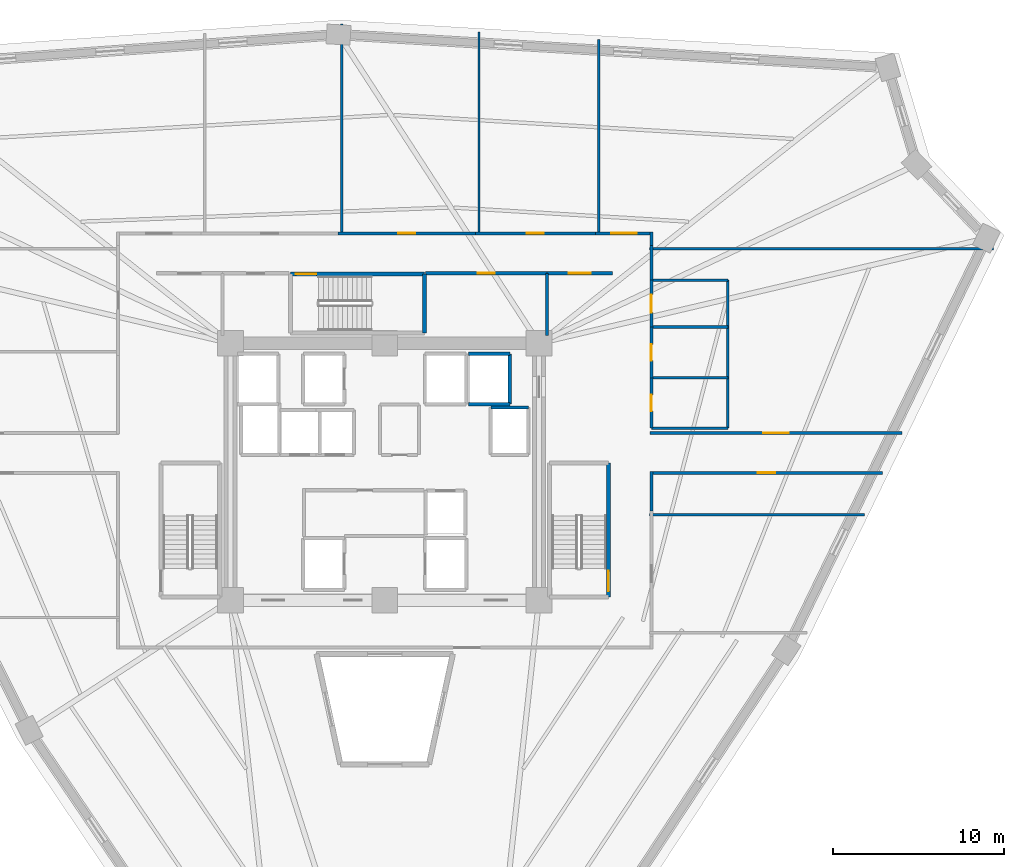
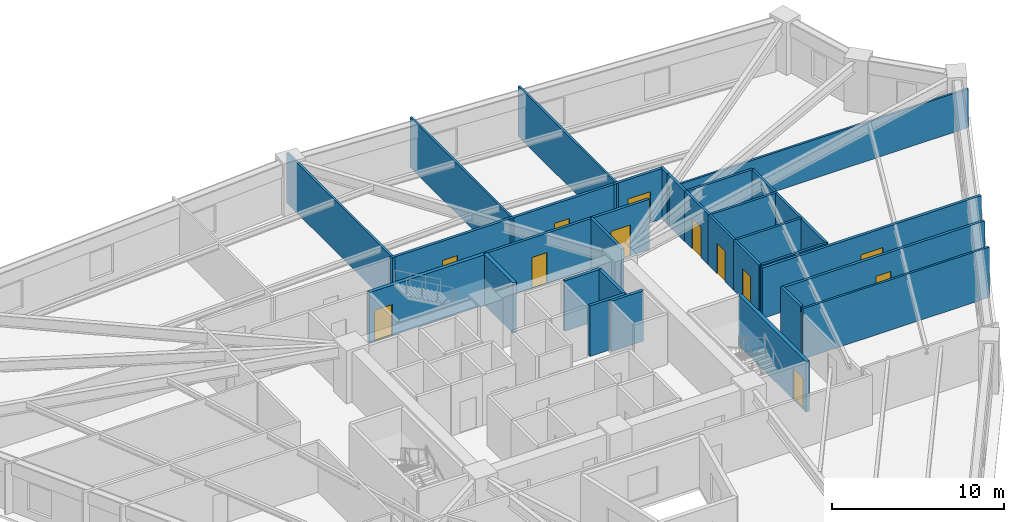
# One storey, part 6 of 8: 31 walls, 12 doors, 12 openings.
"""IFC4 building model written with IfcOpenShell, lengths in metres."""

from ifc_helpers import new_model, si_unit, direction, frame, frame_2d, origin, place, context, subcontext, project, spatial, rectangle, extrude, source, transform, mapped, material, layer, layer_set, type_object, element, fill, save


model = new_model("IFC4")

# Units and contexts
model_context = context("Model", 3, precision=1e-05, world=origin(), true_north=direction((0.0, 1.0)))
body_context = subcontext(model_context, "Body", "Model", "MODEL_VIEW")
ifc_project = project(units=[si_unit("LENGTHUNIT", "METRE"), si_unit("AREAUNIT", "SQUARE_METRE"), si_unit("VOLUMEUNIT", "CUBIC_METRE"), si_unit("PLANEANGLEUNIT", "RADIAN"), si_unit("MASSUNIT", "GRAM", prefix="KILO")], contexts=[model_context])

# Site, building, storey
site_placement = place(None, origin())
site = spatial("IfcSite", under=ifc_project, at=site_placement, CompositionType="ELEMENT")
building_placement = place(site_placement, origin())
building = spatial("IfcBuilding", under=site, at=building_placement, Name="Liaohun Quay Tower", CompositionType="ELEMENT")
storey_placement = place(building_placement, frame((0.0, 0.0, 159.0)))
storey = spatial("IfcBuildingStorey", under=building, at=storey_placement, Name="L41", CompositionType="ELEMENT", Elevation=159.0)

# Wall, opening, door
ifc_material_1 = material(Name="Autoclaved aerated concrete blockwork", Category="masonry")
ifc_layer_1 = layer(ifc_material_1, 0.179931640625, Name="Autoclaved aerated concrete blockwork", Category="masonry")
ifc_layer_set_1 = layer_set([ifc_layer_1], Name="Autoclaved aerated concrete blockwork")
wall_type_1 = type_object("IfcWallType", Name="WAL-PRT-COR", PredefinedType="PARTITIONING", material=ifc_layer_set_1)
wall_1_placement = place(storey_placement, frame((62.389892578125, 65.580078125, 0.0), z_axis=(0.0, 0.0, 1.0), x_axis=(1.0, 0.0, 0.0)))
wall_1 = element("IfcWall", 1, at=wall_1_placement, inside=storey, type_object=wall_type_1, Name="L41 Interior Partition Wall 007", PredefinedType="PARTITIONING", context=body_context, shape_type="SweptSolid", body=[
    extrude(rectangle(XDim=7.070068359375, YDim=0.179931640625, at=frame_2d((3.53515625, 0.0))), origin(), (0.0, 0.0, 1.0), 3.570068359375),
])
shared_shape_1 = source(origin(), body_context, "Body", "SweptSolid", [
    extrude(rectangle(XDim=1.0, YDim=2.199951171875, at=frame_2d((0.5, 1.10009765625))), frame((0.0, 0.099853515625, 0.0), z_axis=(0.0, -1.0, 0.0), x_axis=(1.0, 0.0, 0.0)), (0.0, 0.0, 1.0), 0.199951171875),
])
opening_1_placement = place(wall_1_placement, frame((3.034912109375, 0.0, 0.0)))
opening_1 = element("IfcOpeningElement", 2, at=opening_1_placement, cuts=wall_1, Name="Opening OD1", PredefinedType="OPENING", context=body_context, shape_type="MappedRepresentation", body=[
    mapped(shared_shape_1, transform((0.0, 0.0, 0.0), x_axis=(1.0, 0.0, 0.0), y_axis=(0.0, 1.0, 0.0), z_axis=(0.0, 0.0, 1.0), scale=1.0)),
])
ifc_material_2 = material(Name="Solid-core oak veneer timber leaf in steel frame", Category="steel")
door_type_1 = type_object("IfcDoorType", Name="DOR-OFF-1000", OperationType="NOTDEFINED", PredefinedType="DOOR", material=ifc_material_2)
shared_shape_2 = source(origin(), body_context, "Body", "SweptSolid", [
    extrude(rectangle(XDim=1.0, YDim=2.199951171875, at=frame_2d((0.5, 1.10009765625))), frame((0.0, 0.02490234375, 0.0), z_axis=(0.0, -1.0, 0.0), x_axis=(1.0, 0.0, 0.0)), (0.0, 0.0, 1.0), 0.050048828125),
])
door_1_placement = place(opening_1_placement, origin())
door_1 = element("IfcDoor", 3, at=door_1_placement, inside=storey, type_object=door_type_1, Name="L41 North-East Archive and Mail Room Door", OperationType="SINGLE_SWING_RIGHT", OverallHeight=2.199951171875, OverallWidth=1.0, PredefinedType="DOOR", context=body_context, shape_type="MappedRepresentation", body=[
    mapped(shared_shape_2, transform((0.0, 0.0, 0.0), x_axis=(1.0, 0.0, 0.0), y_axis=(0.0, 1.0, 0.0), z_axis=(0.0, 0.0, 1.0), scale=1.0)),
])
fill(opening_1, door_1)

wall_2_placement = place(storey_placement, frame((69.4599609375, 65.580078125, 0.0), z_axis=(0.0, 0.0, 1.0), x_axis=(1.0, 0.0, 0.0)))
wall_2 = element("IfcWall", 4, at=wall_2_placement, inside=storey, type_object=wall_type_1, Name="L41 Interior Partition Wall 009", PredefinedType="PARTITIONING", context=body_context, shape_type="SweptSolid", body=[
    extrude(rectangle(XDim=3.840087890625, YDim=0.179931640625, at=frame_2d((1.919921875, 0.0))), origin(), (0.0, 0.0, 1.0), 3.570068359375),
])
shared_shape_3 = source(origin(), body_context, "Body", "SweptSolid", [
    extrude(rectangle(XDim=1.300048828125, YDim=2.199951171875, at=frame_2d((0.64990234375, 1.10009765625))), frame((0.0, 0.099853515625, 0.0), z_axis=(0.0, -1.0, 0.0), x_axis=(1.0, 0.0, 0.0)), (0.0, 0.0, 1.0), 0.199951171875),
])
opening_2_placement = place(wall_2_placement, frame((1.27001953125, 0.0, 0.0)))
opening_2 = element("IfcOpeningElement", 5, at=opening_2_placement, cuts=wall_2, Name="Opening FD1", PredefinedType="OPENING", context=body_context, shape_type="MappedRepresentation", body=[
    mapped(shared_shape_3, transform((0.0, 0.0, 0.0), x_axis=(1.0, 0.0, 0.0), y_axis=(0.0, 1.0, 0.0), z_axis=(0.0, 0.0, 1.0), scale=1.0)),
])
ifc_material_3 = material(Name="Galvanised steel smokeproof fire door", Category="steel")
door_type_2 = type_object("IfcDoorType", Name="DOR-FFL-1300", OperationType="NOTDEFINED", PredefinedType="DOOR", material=ifc_material_3)
shared_shape_4 = source(origin(), body_context, "Body", "SweptSolid", [
    extrude(rectangle(XDim=1.300048828125, YDim=2.199951171875, at=frame_2d((0.64990234375, 1.10009765625))), frame((0.0, 0.02490234375, 0.0), z_axis=(0.0, -1.0, 0.0), x_axis=(1.0, 0.0, 0.0)), (0.0, 0.0, 1.0), 0.050048828125),
])
door_2_placement = place(opening_2_placement, origin())
door_2 = element("IfcDoor", 6, at=door_2_placement, inside=storey, type_object=door_type_2, Name="L41 East Core Vestibule Door", OperationType="SINGLE_SWING_RIGHT", OverallHeight=2.199951171875, OverallWidth=1.300048828125, PredefinedType="DOOR", context=body_context, shape_type="MappedRepresentation", body=[
    mapped(shared_shape_4, transform((0.0, 0.0, 0.0), x_axis=(1.0, 0.0, 0.0), y_axis=(0.0, 1.0, 0.0), z_axis=(0.0, 0.0, 1.0), scale=1.0)),
])
fill(opening_2, door_2)

wall_3_placement = place(storey_placement, frame((75.489990234375, 56.260009765625, 0.0), z_axis=(0.0, 0.0, 1.0), x_axis=(1.0, 0.0, 0.0)))
wall_3 = element("IfcWall", 7, at=wall_3_placement, inside=storey, type_object=wall_type_1, Name="L41 Interior Partition Wall 010", PredefinedType="PARTITIONING", context=body_context, shape_type="SweptSolid", body=[
    extrude(rectangle(XDim=14.694091796875, YDim=0.179931640625, at=frame_2d((7.34716796875, 0.0))), origin(), (0.0, 0.0, 1.0), 3.570068359375),
])
shared_shape_5 = source(origin(), body_context, "Body", "SweptSolid", [
    extrude(rectangle(XDim=1.5, YDim=2.199951171875, at=frame_2d((0.75, 1.10009765625))), frame((0.0, 0.099853515625, 0.0), z_axis=(0.0, -1.0, 0.0), x_axis=(1.0, 0.0, 0.0)), (0.0, 0.0, 1.0), 0.199951171875),
])
opening_3_placement = place(wall_3_placement, frame((6.596923828125, 0.0, 0.0)))
opening_3 = element("IfcOpeningElement", 8, at=opening_3_placement, cuts=wall_3, Name="Opening OD2", PredefinedType="OPENING", context=body_context, shape_type="MappedRepresentation", body=[
    mapped(shared_shape_5, transform((0.0, 0.0, 0.0), x_axis=(1.0, 0.0, 0.0), y_axis=(0.0, 1.0, 0.0), z_axis=(0.0, 0.0, 1.0), scale=1.0)),
])
ifc_material_4 = material(Name="Acoustic oak veneer double door")
door_type_3 = type_object("IfcDoorType", Name="DOR-OFF-1500", OperationType="DOUBLE_DOOR_SINGLE_SWING", PredefinedType="DOOR", material=ifc_material_4)
shared_shape_6 = source(origin(), body_context, "Body", "SweptSolid", [
    extrude(rectangle(XDim=1.5, YDim=2.199951171875, at=frame_2d((0.75, 1.10009765625))), frame((0.0, 0.02490234375, 0.0), z_axis=(0.0, -1.0, 0.0), x_axis=(1.0, 0.0, 0.0)), (0.0, 0.0, 1.0), 0.050048828125),
])
door_3_placement = place(opening_3_placement, origin())
door_3 = element("IfcDoor", 9, at=door_3_placement, inside=storey, type_object=door_type_3, Name="L41 Technical Reference Library 01 Door", OperationType="DOUBLE_DOOR_SINGLE_SWING", OverallHeight=2.199951171875, OverallWidth=1.5, PredefinedType="DOOR", context=body_context, shape_type="MappedRepresentation", body=[
    mapped(shared_shape_6, transform((0.0, 0.0, 0.0), x_axis=(1.0, 0.0, 0.0), y_axis=(0.0, 1.0, 0.0), z_axis=(0.0, 0.0, 1.0), scale=1.0)),
])
fill(opening_3, door_3)

wall_4_placement = place(storey_placement, frame((72.284912109375, 67.909912109375, 0.0), z_axis=(0.0, 0.0, 1.0), x_axis=(1.0, 0.0, 0.0)))
wall_4 = element("IfcWall", 10, at=wall_4_placement, inside=storey, type_object=wall_type_1, Name="L41 Interior Partition Wall 011", PredefinedType="PARTITIONING", context=body_context, shape_type="SweptSolid", body=[
    extrude(rectangle(XDim=3.344970703125, YDim=0.179931640625, at=frame_2d((1.67236328125, 0.0))), origin(), (0.0, 0.0, 1.0), 3.570068359375),
])
opening_4_placement = place(wall_4_placement, frame((0.922119140625, 0.0, 0.0)))
opening_4 = element("IfcOpeningElement", 11, at=opening_4_placement, cuts=wall_4, Name="Opening OD2", PredefinedType="OPENING", context=body_context, shape_type="MappedRepresentation", body=[
    mapped(shared_shape_5, transform((0.0, 0.0, 0.0), x_axis=(1.0, 0.0, 0.0), y_axis=(0.0, 1.0, 0.0), z_axis=(0.0, 0.0, 1.0), scale=1.0)),
])
door_4_placement = place(opening_4_placement, origin())
door_4 = element("IfcDoor", 12, at=door_4_placement, inside=storey, type_object=door_type_3, Name="L41 Client Collaboration Lounge 02 Door", OperationType="DOUBLE_DOOR_SINGLE_SWING", OverallHeight=2.199951171875, OverallWidth=1.5, PredefinedType="DOOR", context=body_context, shape_type="MappedRepresentation", body=[
    mapped(shared_shape_6, transform((0.0, 0.0, 0.0), x_axis=(1.0, 0.0, 0.0), y_axis=(0.0, 1.0, 0.0), z_axis=(0.0, 0.0, 1.0), scale=1.0)),
])
fill(opening_4, door_4)

wall_5_placement = place(storey_placement, frame((65.284912109375, 67.909912109375, 0.0), z_axis=(0.0, 0.0, 1.0), x_axis=(1.0, 0.0, 0.0)))
wall_5 = element("IfcWall", 13, at=wall_5_placement, inside=storey, type_object=wall_type_1, Name="L41 Interior Partition Wall 012", PredefinedType="PARTITIONING", context=body_context, shape_type="SweptSolid", body=[
    extrude(rectangle(XDim=7.0, YDim=0.179931640625, at=frame_2d((3.5, 0.0))), origin(), (0.0, 0.0, 1.0), 3.570068359375),
])
opening_5_placement = place(wall_5_placement, frame((3.0, 0.0, 0.0)))
opening_5 = element("IfcOpeningElement", 14, at=opening_5_placement, cuts=wall_5, Name="Opening OD1", PredefinedType="OPENING", context=body_context, shape_type="MappedRepresentation", body=[
    mapped(shared_shape_1, transform((0.0, 0.0, 0.0), x_axis=(1.0, 0.0, 0.0), y_axis=(0.0, 1.0, 0.0), z_axis=(0.0, 0.0, 1.0), scale=1.0)),
])
door_5_placement = place(opening_5_placement, origin())
door_5 = element("IfcDoor", 15, at=door_5_placement, inside=storey, type_object=door_type_1, Name="L41 Technical Reference Library 03 Door", OperationType="SINGLE_SWING_LEFT", OverallHeight=2.199951171875, OverallWidth=1.0, PredefinedType="DOOR", context=body_context, shape_type="MappedRepresentation", body=[
    mapped(shared_shape_2, transform((0.0, 0.0, 0.0), x_axis=(1.0, 0.0, 0.0), y_axis=(0.0, 1.0, 0.0), z_axis=(0.0, 0.0, 1.0), scale=1.0)),
])
fill(opening_5, door_5)

wall_6_placement = place(storey_placement, frame((57.284912109375, 67.909912109375, 0.0), z_axis=(0.0, 0.0, 1.0), x_axis=(1.0, 0.0, 0.0)))
wall_6 = element("IfcWall", 16, at=wall_6_placement, inside=storey, type_object=wall_type_1, Name="L41 Interior Partition Wall 013", PredefinedType="PARTITIONING", context=body_context, shape_type="SweptSolid", body=[
    extrude(rectangle(XDim=8.0, YDim=0.179931640625, at=frame_2d((4.0, 0.0))), origin(), (0.0, 0.0, 1.0), 3.570068359375),
])
opening_6_placement = place(wall_6_placement, frame((3.5, 0.0, 0.0)))
opening_6 = element("IfcOpeningElement", 17, at=opening_6_placement, cuts=wall_6, Name="Opening OD1", PredefinedType="OPENING", context=body_context, shape_type="MappedRepresentation", body=[
    mapped(shared_shape_1, transform((0.0, 0.0, 0.0), x_axis=(1.0, 0.0, 0.0), y_axis=(0.0, 1.0, 0.0), z_axis=(0.0, 0.0, 1.0), scale=1.0)),
])
door_6_placement = place(opening_6_placement, origin())
door_6 = element("IfcDoor", 18, at=door_6_placement, inside=storey, type_object=door_type_1, Name="L41 Project Collaboration Studio 04 Door", OperationType="SINGLE_SWING_RIGHT", OverallHeight=2.199951171875, OverallWidth=1.0, PredefinedType="DOOR", context=body_context, shape_type="MappedRepresentation", body=[
    mapped(shared_shape_2, transform((0.0, 0.0, 0.0), x_axis=(1.0, 0.0, 0.0), y_axis=(0.0, 1.0, 0.0), z_axis=(0.0, 0.0, 1.0), scale=1.0)),
])
fill(opening_6, door_6)

wall_7_placement = place(storey_placement, frame((89.05810546875, 53.93994140625, 0.0), z_axis=(0.0, 0.0, 1.0), x_axis=(-1.0, 0.0, 0.0)))
wall_7 = element("IfcWall", 19, at=wall_7_placement, inside=storey, type_object=wall_type_1, Name="L41 Interior Partition Wall 021", PredefinedType="PARTITIONING", context=body_context, shape_type="SweptSolid", body=[
    extrude(rectangle(XDim=13.568115234375, YDim=0.179931640625, at=frame_2d((6.7841796875, 0.0))), origin(), (0.0, 0.0, 1.0), 3.570068359375),
])
opening_7_placement = place(wall_7_placement, frame((6.283935546875, 0.0, 0.0)))
opening_7 = element("IfcOpeningElement", 20, at=opening_7_placement, cuts=wall_7, Name="Opening OD1", PredefinedType="OPENING", context=body_context, shape_type="MappedRepresentation", body=[
    mapped(shared_shape_1, transform((0.0, 0.0, 0.0), x_axis=(1.0, 0.0, 0.0), y_axis=(0.0, 1.0, 0.0), z_axis=(0.0, 0.0, 1.0), scale=1.0)),
])
door_7_placement = place(opening_7_placement, origin())
door_7 = element("IfcDoor", 21, at=door_7_placement, inside=storey, type_object=door_type_1, Name="L41 Client Reception Office 12 Door", OperationType="SINGLE_SWING_RIGHT", OverallHeight=2.199951171875, OverallWidth=1.0, PredefinedType="DOOR", context=body_context, shape_type="MappedRepresentation", body=[
    mapped(shared_shape_2, transform((0.0, 0.0, 0.0), x_axis=(1.0, 0.0, 0.0), y_axis=(0.0, 1.0, 0.0), z_axis=(0.0, 0.0, 1.0), scale=1.0)),
])
fill(opening_7, door_7)

# Walls
wall_8_placement = place(storey_placement, frame((69.4599609375, 61.949951171875, 0.0), z_axis=(0.0, 0.0, 1.0), x_axis=(0.0, 1.0, 0.0)))
element("IfcWall", 22, at=wall_8_placement, inside=storey, type_object=wall_type_1, Name="L41 Interior Partition Wall 031", PredefinedType="PARTITIONING", context=body_context, shape_type="SweptSolid", body=[
    extrude(rectangle(XDim=3.630126953125, YDim=0.179931640625, at=frame_2d((1.81494140625, 0.0))), origin(), (0.0, 0.0, 1.0), 3.570068359375),
])
wall_9_placement = place(storey_placement, frame((75.56005859375, 67.215087890625, 0.0), z_axis=(0.0, 0.0, 1.0), x_axis=(0.0, -1.0, 0.0)))
element("IfcWall", 23, at=wall_9_placement, inside=storey, type_object=wall_type_1, Name="L41 Interior Partition Wall 032", PredefinedType="PARTITIONING", context=body_context, shape_type="SweptSolid", body=[
    extrude(rectangle(XDim=2.03515625, YDim=0.179931640625, at=frame_2d((1.017578125, 0.0))), origin(), (0.0, 0.0, 1.0), 3.570068359375),
])
wall_10_placement = place(storey_placement, frame((75.56005859375, 67.97998046875, 0.0), z_axis=(0.0, 0.0, 1.0), x_axis=(0.0, -1.0, 0.0)))
element("IfcWall", 24, at=wall_10_placement, inside=storey, type_object=wall_type_1, Name="L41 Interior Partition Wall 033", PredefinedType="PARTITIONING", context=body_context, shape_type="SweptSolid", body=[
    extrude(rectangle(XDim=0.764892578125, YDim=0.179931640625, at=frame_2d((0.38232421875, 0.0))), origin(), (0.0, 0.0, 1.0), 3.570068359375),
])
wall_11_placement = place(storey_placement, frame((75.56005859375, 54.010009765625, 0.0), z_axis=(0.0, 0.0, 1.0), x_axis=(0.0, -1.0, 0.0)))
element("IfcWall", 25, at=wall_11_placement, inside=storey, type_object=wall_type_1, Name="L41 Interior Partition Wall 039", PredefinedType="PARTITIONING", context=body_context, shape_type="SweptSolid", body=[
    extrude(rectangle(XDim=2.294921875, YDim=0.179931640625, at=frame_2d((1.1474609375, 0.0))), origin(), (0.0, 0.0, 1.0), 3.570068359375),
])
ifc_material_5 = material(Name="Gypsum board on twin steel studs", Category="steel")
ifc_layer_2 = layer(ifc_material_5, 0.139892578125, Name="Gypsum board on twin steel studs", Category="steel")
ifc_layer_set_2 = layer_set([ifc_layer_2], Name="Gypsum board on twin steel studs")
wall_type_2 = type_object("IfcWallType", Name="WAL-PRT-OFF", PredefinedType="PARTITIONING", material=ifc_layer_set_2)
wall_12_placement = place(storey_placement, frame((75.4599609375, 51.5, 0.0), z_axis=(0.0, 0.0, 1.0), x_axis=(1.0, 0.0, 0.0)))
element("IfcWall", 26, at=wall_12_placement, inside=storey, type_object=wall_type_2, Name="L41 Interior Partition Wall 044", PredefinedType="PARTITIONING", context=body_context, shape_type="SweptSolid", body=[
    extrude(rectangle(XDim=12.52099609375, YDim=0.139892578125, at=frame_2d((6.260498046875, 0.0))), origin(), (0.0, 0.0, 1.0), 3.570068359375),
])
wall_13_placement = place(storey_placement, frame((75.4599609375, 67.0, 0.0), z_axis=(0.0, 0.0, 1.0), x_axis=(1.0, 0.0, 0.0)))
element("IfcWall", 27, at=wall_13_placement, inside=storey, type_object=wall_type_2, Name="L41 Interior Partition Wall 045", PredefinedType="PARTITIONING", context=body_context, shape_type="SweptSolid", body=[
    extrude(rectangle(XDim=20.046142578125, YDim=0.139892578125, at=frame_2d((10.02294921875, 0.0))), origin(), (0.0, 0.0, 1.0), 2.7548828125),
])
wall_14_placement = place(storey_placement, frame((57.5, 67.81005859375, 0.0), z_axis=(0.0, 0.0, 1.0), x_axis=(0.0, 1.0, 0.0)))
element("IfcWall", 28, at=wall_14_placement, inside=storey, type_object=wall_type_2, Name="L41 Interior Partition Wall 047", PredefinedType="PARTITIONING", context=body_context, shape_type="SweptSolid", body=[
    extrude(rectangle(XDim=12.31494140625, YDim=0.139892578125, at=frame_2d((6.157470703125, 0.0))), origin(), (0.0, 0.0, 1.0), 3.570068359375),
])
wall_15_placement = place(storey_placement, frame((65.5, 67.81005859375, 0.0), z_axis=(0.0, 0.0, 1.0), x_axis=(0.0, 1.0, 0.0)))
element("IfcWall", 29, at=wall_15_placement, inside=storey, type_object=wall_type_2, Name="L41 Interior Partition Wall 048", PredefinedType="PARTITIONING", context=body_context, shape_type="SweptSolid", body=[
    extrude(rectangle(XDim=11.8349609375, YDim=0.139892578125, at=frame_2d((5.91748046875, 0.0))), origin(), (0.0, 0.0, 1.0), 3.570068359375),
])
wall_16_placement = place(storey_placement, frame((72.5, 67.81005859375, 0.0), z_axis=(0.0, 0.0, 1.0), x_axis=(0.0, 1.0, 0.0)))
element("IfcWall", 30, at=wall_16_placement, inside=storey, type_object=wall_type_2, Name="L41 Interior Partition Wall 049", PredefinedType="PARTITIONING", context=body_context, shape_type="SweptSolid", body=[
    extrude(rectangle(XDim=11.416015625, YDim=0.139892578125, at=frame_2d((5.7080078125, 0.0))), origin(), (0.0, 0.0, 1.0), 3.570068359375),
])

# Wall, opening, door
ifc_material_6 = material(Name="Moisture-resistant masonry blockwork", Category="masonry")
ifc_layer_3 = layer(ifc_material_6, 0.159912109375, Name="Moisture-resistant masonry blockwork", Category="masonry")
ifc_layer_set_3 = layer_set([ifc_layer_3], Name="Moisture-resistant masonry blockwork")
wall_type_3 = type_object("IfcWallType", Name="WAL-PRT-WET", PredefinedType="PARTITIONING", material=ifc_layer_set_3)
wall_17_placement = place(storey_placement, frame((75.56005859375, 56.5400390625, 0.0), z_axis=(0.0, 0.0, 1.0), x_axis=(0.0, 1.0, 0.0)))
wall_17 = element("IfcWall", 31, at=wall_17_placement, inside=storey, type_object=wall_type_3, Name="L41 Interior Partition Wall 003", PredefinedType="PARTITIONING", context=body_context, shape_type="SweptSolid", body=[
    extrude(rectangle(XDim=2.93994140625, YDim=0.159912109375, at=frame_2d((1.469970703125, 0.0))), origin(), (0.0, 0.0, 1.0), 3.570068359375),
])
shared_shape_7 = source(origin(), body_context, "Body", "SweptSolid", [
    extrude(rectangle(XDim=0.949951171875, YDim=2.14990234375, at=frame_2d((0.47509765625, 1.074951171875))), frame((0.0, 0.08984375, 0.0), z_axis=(0.0, -1.0, 0.0), x_axis=(1.0, 0.0, 0.0)), (0.0, 0.0, 1.0), 0.179931640625),
])
opening_8_placement = place(wall_17_placement, frame((0.9951171875, 0.0, 0.0)))
opening_8 = element("IfcOpeningElement", 32, at=opening_8_placement, cuts=wall_17, Name="Opening WD1", PredefinedType="OPENING", context=body_context, shape_type="MappedRepresentation", body=[
    mapped(shared_shape_7, transform((0.0, 0.0, 0.0), x_axis=(1.0, 0.0, 0.0), y_axis=(0.0, 1.0, 0.0), z_axis=(0.0, 0.0, 1.0), scale=1.0)),
])
ifc_material_7 = material(Name="Moisture-resistant laminate timber leaf", Category="wood")
door_type_4 = type_object("IfcDoorType", Name="DOR-WC-950", OperationType="NOTDEFINED", PredefinedType="DOOR", material=ifc_material_7)
shared_shape_8 = source(origin(), body_context, "Body", "SweptSolid", [
    extrude(rectangle(XDim=0.949951171875, YDim=2.14990234375, at=frame_2d((0.47509765625, 1.074951171875))), frame((0.0, 0.02490234375, 0.0), z_axis=(0.0, -1.0, 0.0), x_axis=(1.0, 0.0, 0.0)), (0.0, 0.0, 1.0), 0.050048828125),
])
door_8_placement = place(opening_8_placement, origin())
door_8 = element("IfcDoor", 33, at=door_8_placement, inside=storey, type_object=door_type_4, Name="L41 Male Restroom WC Door", OperationType="SINGLE_SWING_RIGHT", OverallHeight=2.14990234375, OverallWidth=0.949951171875, PredefinedType="DOOR", context=body_context, shape_type="MappedRepresentation", body=[
    mapped(shared_shape_8, transform((0.0, 0.0, 0.0), x_axis=(1.0, 0.0, 0.0), y_axis=(0.0, 1.0, 0.0), z_axis=(0.0, 0.0, 1.0), scale=1.0)),
])
fill(opening_8, door_8)

wall_18_placement = place(storey_placement, frame((75.56005859375, 59.47998046875, 0.0), z_axis=(0.0, 0.0, 1.0), x_axis=(0.0, 1.0, 0.0)))
wall_18 = element("IfcWall", 34, at=wall_18_placement, inside=storey, type_object=wall_type_3, Name="L41 Interior Partition Wall 004", PredefinedType="PARTITIONING", context=body_context, shape_type="SweptSolid", body=[
    extrude(rectangle(XDim=2.9599609375, YDim=0.159912109375, at=frame_2d((1.47998046875, 0.0))), origin(), (0.0, 0.0, 1.0), 3.570068359375),
])
opening_9_placement = place(wall_18_placement, frame((1.0048828125, 0.0, 0.0)))
opening_9 = element("IfcOpeningElement", 35, at=opening_9_placement, cuts=wall_18, Name="Opening WD1", PredefinedType="OPENING", context=body_context, shape_type="MappedRepresentation", body=[
    mapped(shared_shape_7, transform((0.0, 0.0, 0.0), x_axis=(1.0, 0.0, 0.0), y_axis=(0.0, 1.0, 0.0), z_axis=(0.0, 0.0, 1.0), scale=1.0)),
])
door_9_placement = place(opening_9_placement, origin())
door_9 = element("IfcDoor", 36, at=door_9_placement, inside=storey, type_object=door_type_4, Name="L41 Female Restroom WC Door", OperationType="SINGLE_SWING_LEFT", OverallHeight=2.14990234375, OverallWidth=0.949951171875, PredefinedType="DOOR", context=body_context, shape_type="MappedRepresentation", body=[
    mapped(shared_shape_8, transform((0.0, 0.0, 0.0), x_axis=(1.0, 0.0, 0.0), y_axis=(0.0, 1.0, 0.0), z_axis=(0.0, 0.0, 1.0), scale=1.0)),
])
fill(opening_9, door_9)

wall_19_placement = place(storey_placement, frame((75.56005859375, 62.43994140625, 0.0), z_axis=(0.0, 0.0, 1.0), x_axis=(0.0, 1.0, 0.0)))
wall_19 = element("IfcWall", 37, at=wall_19_placement, inside=storey, type_object=wall_type_3, Name="L41 Interior Partition Wall 005", PredefinedType="PARTITIONING", context=body_context, shape_type="SweptSolid", body=[
    extrude(rectangle(XDim=2.739990234375, YDim=0.159912109375, at=frame_2d((1.3701171875, 0.0))), origin(), (0.0, 0.0, 1.0), 3.570068359375),
])
shared_shape_9 = source(origin(), body_context, "Body", "SweptSolid", [
    extrude(rectangle(XDim=1.050048828125, YDim=2.14990234375, at=frame_2d((0.52490234375, 1.074951171875))), frame((0.0, 0.08984375, 0.0), z_axis=(0.0, -1.0, 0.0), x_axis=(1.0, 0.0, 0.0)), (0.0, 0.0, 1.0), 0.179931640625),
])
opening_10_placement = place(wall_19_placement, frame((0.844970703125, 0.0, 0.0)))
opening_10 = element("IfcOpeningElement", 38, at=opening_10_placement, cuts=wall_19, Name="Opening WD2", PredefinedType="OPENING", context=body_context, shape_type="MappedRepresentation", body=[
    mapped(shared_shape_9, transform((0.0, 0.0, 0.0), x_axis=(1.0, 0.0, 0.0), y_axis=(0.0, 1.0, 0.0), z_axis=(0.0, 0.0, 1.0), scale=1.0)),
])
ifc_material_8 = material(Name="Accessible outward-swinging laminate door")
door_type_5 = type_object("IfcDoorType", Name="DOR-AWC-1050", OperationType="NOTDEFINED", PredefinedType="DOOR", material=ifc_material_8)
shared_shape_10 = source(origin(), body_context, "Body", "SweptSolid", [
    extrude(rectangle(XDim=1.050048828125, YDim=2.14990234375, at=frame_2d((0.52490234375, 1.074951171875))), frame((0.0, 0.02490234375, 0.0), z_axis=(0.0, -1.0, 0.0), x_axis=(1.0, 0.0, 0.0)), (0.0, 0.0, 1.0), 0.050048828125),
])
door_10_placement = place(opening_10_placement, origin())
door_10 = element("IfcDoor", 39, at=door_10_placement, inside=storey, type_object=door_type_5, Name="L41 Accessible WC Door", OperationType="SINGLE_SWING_RIGHT", OverallHeight=2.14990234375, OverallWidth=1.050048828125, PredefinedType="DOOR", context=body_context, shape_type="MappedRepresentation", body=[
    mapped(shared_shape_10, transform((0.0, 0.0, 0.0), x_axis=(1.0, 0.0, 0.0), y_axis=(0.0, 1.0, 0.0), z_axis=(0.0, 0.0, 1.0), scale=1.0)),
])
fill(opening_10, door_10)

# Walls
wall_20_placement = place(storey_placement, frame((80.02001953125, 56.5400390625, 0.0), z_axis=(0.0, 0.0, 1.0), x_axis=(0.0, 1.0, 0.0)))
element("IfcWall", 40, at=wall_20_placement, inside=storey, type_object=wall_type_3, Name="L41 Interior Partition Wall 025", PredefinedType="PARTITIONING", context=body_context, shape_type="SweptSolid", body=[
    extrude(rectangle(XDim=8.639892578125, YDim=0.159912109375, at=frame_2d((4.31982421875, 0.0))), origin(), (0.0, 0.0, 1.0), 3.570068359375),
])
for number, where, z_axis, x_axis, name in (
    (41, (75.56005859375, 56.5400390625, 0.0), (0.0, 0.0, 1.0), (1.0, 0.0, 0.0), "L41 Interior Partition Wall 026"),
    (42, (75.56005859375, 59.47998046875, 0.0), (0.0, 0.0, 1.0), (1.0, 0.0, 0.0), "L41 Interior Partition Wall 027"),
    (43, (75.56005859375, 62.43994140625, 0.0), (0.0, 0.0, 1.0), (1.0, 0.0, 0.0), "L41 Interior Partition Wall 028"),
    (44, (75.56005859375, 65.179931640625, 0.0), (0.0, 0.0, 1.0), (1.0, 0.0, 0.0), "L41 Interior Partition Wall 029"),
):
    element("IfcWall", number, at=place(storey_placement, frame(where, z_axis=z_axis, x_axis=x_axis)), inside=storey, type_object=wall_type_3, Name=name, PredefinedType="PARTITIONING", context=body_context, shape_type="SweptSolid", body=[
        extrude(rectangle(XDim=4.4599609375, YDim=0.159912109375, at=frame_2d((2.22998046875, 0.0))), origin(), (0.0, 0.0, 1.0), 3.570068359375),
    ])

# Wall, opening, door
ifc_material_9 = material(Name="Concrete C50", Category="concrete")
ifc_layer_4 = layer(ifc_material_9, 0.239990234375, Name="Concrete C50", Category="concrete")
ifc_layer_set_4 = layer_set([ifc_layer_4], Name="Concrete C50")
wall_type_4 = type_object("IfcWallType", Name="WAL-SHF-200", PredefinedType="SOLIDWALL", material=ifc_layer_set_4)
wall_21_placement = place(storey_placement, frame((73.06005859375, 46.699951171875, 0.0), z_axis=(0.0, 0.0, 1.0), x_axis=(0.0, 1.0, 0.0)))
wall_21 = element("IfcWall", 45, at=wall_21_placement, inside=storey, type_object=wall_type_4, Name="L41 Stairwell ST-2 Structural Core Wall E", PredefinedType="SOLIDWALL", context=body_context, shape_type="SweptSolid", body=[
    extrude(rectangle(XDim=7.820068359375, YDim=0.239990234375, at=frame_2d((3.91015625, 0.0))), origin(), (0.0, 0.0, 1.0), 3.570068359375),
])
shared_shape_11 = source(origin(), body_context, "Body", "SweptSolid", [
    extrude(rectangle(XDim=1.199951171875, YDim=2.199951171875, at=frame_2d((0.60009765625, 1.10009765625))), frame((0.0, 0.1298828125, 0.0), z_axis=(0.0, -1.0, 0.0), x_axis=(1.0, 0.0, 0.0)), (0.0, 0.0, 1.0), 0.260009765625),
])
opening_11_placement = place(wall_21_placement, frame((0.320068359375, 0.0, 0.0)))
opening_11 = element("IfcOpeningElement", 46, at=opening_11_placement, cuts=wall_21, Name="Opening SD1", PredefinedType="OPENING", context=body_context, shape_type="MappedRepresentation", body=[
    mapped(shared_shape_11, transform((0.0, 0.0, 0.0), x_axis=(1.0, 0.0, 0.0), y_axis=(0.0, 1.0, 0.0), z_axis=(0.0, 0.0, 1.0), scale=1.0)),
])
ifc_material_10 = material(Name="Galvanised steel fire door", Category="steel")
door_type_6 = type_object("IfcDoorType", Name="DOR-STR-1200", OperationType="NOTDEFINED", PredefinedType="DOOR", material=ifc_material_10)
shared_shape_12 = source(origin(), body_context, "Body", "SweptSolid", [
    extrude(rectangle(XDim=1.199951171875, YDim=2.199951171875, at=frame_2d((0.60009765625, 1.10009765625))), frame((0.0, 0.02490234375, 0.0), z_axis=(0.0, -1.0, 0.0), x_axis=(1.0, 0.0, 0.0)), (0.0, 0.0, 1.0), 0.050048828125),
])
door_11_placement = place(opening_11_placement, origin())
door_11 = element("IfcDoor", 47, at=door_11_placement, inside=storey, type_object=door_type_6, Name="L41 Protected Stair ST-2 Fire Door", OperationType="SINGLE_SWING_RIGHT", OverallHeight=2.199951171875, OverallWidth=1.199951171875, PredefinedType="DOOR", context=body_context, shape_type="MappedRepresentation", body=[
    mapped(shared_shape_12, transform((0.0, 0.0, 0.0), x_axis=(1.0, 0.0, 0.0), y_axis=(0.0, 1.0, 0.0), z_axis=(0.0, 0.0, 1.0), scale=1.0)),
])
fill(opening_11, door_11)

# Wall
wall_22_placement = place(storey_placement, frame((62.320068359375, 62.10009765625, 0.0), z_axis=(0.0, 0.0, 1.0), x_axis=(0.0, 1.0, 0.0)))
element("IfcWall", 48, at=wall_22_placement, inside=storey, type_object=wall_type_4, Name="L41 Stairwell ST-3 Structural Core Wall E", PredefinedType="SOLIDWALL", context=body_context, shape_type="SweptSolid", body=[
    extrude(rectangle(XDim=3.43994140625, YDim=0.239990234375, at=frame_2d((1.719970703125, 0.0))), origin(), (0.0, 0.0, 1.0), 3.570068359375),
])

# Wall, opening, door
wall_23_placement = place(storey_placement, frame((62.320068359375, 65.5400390625, 0.0), z_axis=(0.0, 0.0, 1.0), x_axis=(-1.0, 0.0, 0.0)))
wall_23 = element("IfcWall", 49, at=wall_23_placement, inside=storey, type_object=wall_type_4, Name="L41 Stairwell ST-3 Structural Core Wall N", PredefinedType="SOLIDWALL", context=body_context, shape_type="SweptSolid", body=[
    extrude(rectangle(XDim=7.820068359375, YDim=0.239990234375, at=frame_2d((3.91015625, 0.0))), origin(), (0.0, 0.0, 1.0), 3.570068359375),
])
opening_12_placement = place(wall_23_placement, frame((6.300048828125, 0.0, 0.0)))
opening_12 = element("IfcOpeningElement", 50, at=opening_12_placement, cuts=wall_23, Name="Opening SD1", PredefinedType="OPENING", context=body_context, shape_type="MappedRepresentation", body=[
    mapped(shared_shape_11, transform((0.0, 0.0, 0.0), x_axis=(1.0, 0.0, 0.0), y_axis=(0.0, 1.0, 0.0), z_axis=(0.0, 0.0, 1.0), scale=1.0)),
])
door_12_placement = place(opening_12_placement, origin())
door_12 = element("IfcDoor", 51, at=door_12_placement, inside=storey, type_object=door_type_6, Name="L41 Protected Stair ST-3 Fire Door", OperationType="SINGLE_SWING_RIGHT", OverallHeight=2.199951171875, OverallWidth=1.199951171875, PredefinedType="DOOR", context=body_context, shape_type="MappedRepresentation", body=[
    mapped(shared_shape_12, transform((0.0, 0.0, 0.0), x_axis=(1.0, 0.0, 0.0), y_axis=(0.0, 1.0, 0.0), z_axis=(0.0, 0.0, 1.0), scale=1.0)),
])
fill(opening_12, door_12)

# Walls
wall_24_placement = place(storey_placement, frame((64.89990234375, 57.949951171875, 0.0), z_axis=(0.0, 0.0, 1.0), x_axis=(1.0, 0.0, 0.0)))
element("IfcWall", 52, at=wall_24_placement, inside=storey, type_object=wall_type_4, Name="L41 Lift OB-02 Hoistway Wall S", PredefinedType="SOLIDWALL", context=body_context, shape_type="SweptSolid", body=[
    extrude(rectangle(XDim=2.400146484375, YDim=0.199951171875, at=frame_2d((1.2001953125, 0.0))), origin(), (0.0, 0.0, 1.0), 3.570068359375),
])
wall_25_placement = place(storey_placement, frame((67.300048828125, 57.949951171875, 0.0), z_axis=(0.0, 0.0, 1.0), x_axis=(0.0, 1.0, 0.0)))
element("IfcWall", 53, at=wall_25_placement, inside=storey, type_object=wall_type_4, Name="L41 Lift OB-02 Hoistway Wall E", PredefinedType="SOLIDWALL", context=body_context, shape_type="SweptSolid", body=[
    extrude(rectangle(XDim=2.929931640625, YDim=0.199951171875, at=frame_2d((1.46484375, 0.0))), origin(), (0.0, 0.0, 1.0), 3.570068359375),
])
wall_26_placement = place(storey_placement, frame((67.300048828125, 60.8798828125, 0.0), z_axis=(0.0, 0.0, 1.0), x_axis=(-1.0, 0.0, 0.0)))
element("IfcWall", 54, at=wall_26_placement, inside=storey, type_object=wall_type_4, Name="L41 Lift OB-02 Hoistway Wall N", PredefinedType="SOLIDWALL", context=body_context, shape_type="SweptSolid", body=[
    extrude(rectangle(XDim=2.400146484375, YDim=0.199951171875, at=frame_2d((1.2001953125, 0.0))), origin(), (0.0, 0.0, 1.0), 3.570068359375),
])
wall_27_placement = place(storey_placement, frame((68.3798828125, 57.75, 0.0), z_axis=(0.0, 0.0, 1.0), x_axis=(-1.0, 0.0, 0.0)))
element("IfcWall", 55, at=wall_27_placement, inside=storey, type_object=wall_type_4, Name="L41 Lift SH-03 Hoistway Wall N", PredefinedType="SOLIDWALL", context=body_context, shape_type="SweptSolid", body=[
    extrude(rectangle(XDim=2.179931640625, YDim=0.199951171875, at=frame_2d((1.08984375, 0.0))), origin(), (0.0, 0.0, 1.0), 3.570068359375),
])

save(model, "model.ifc")
